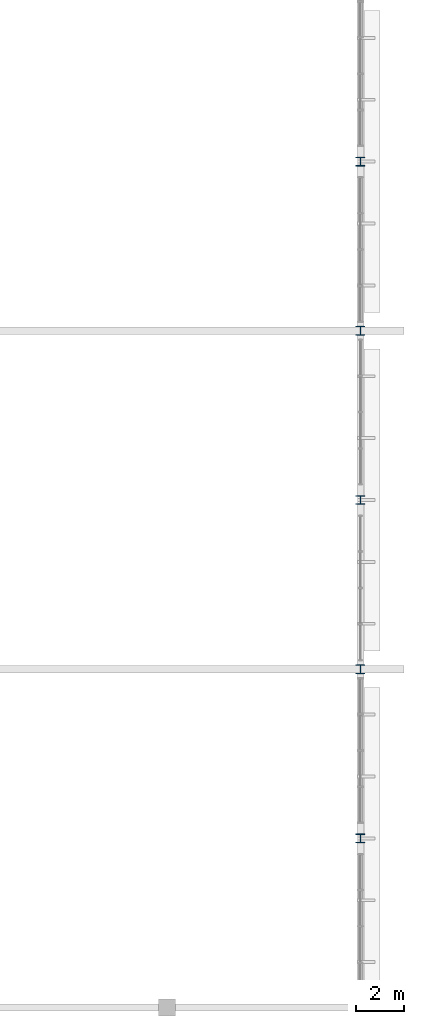
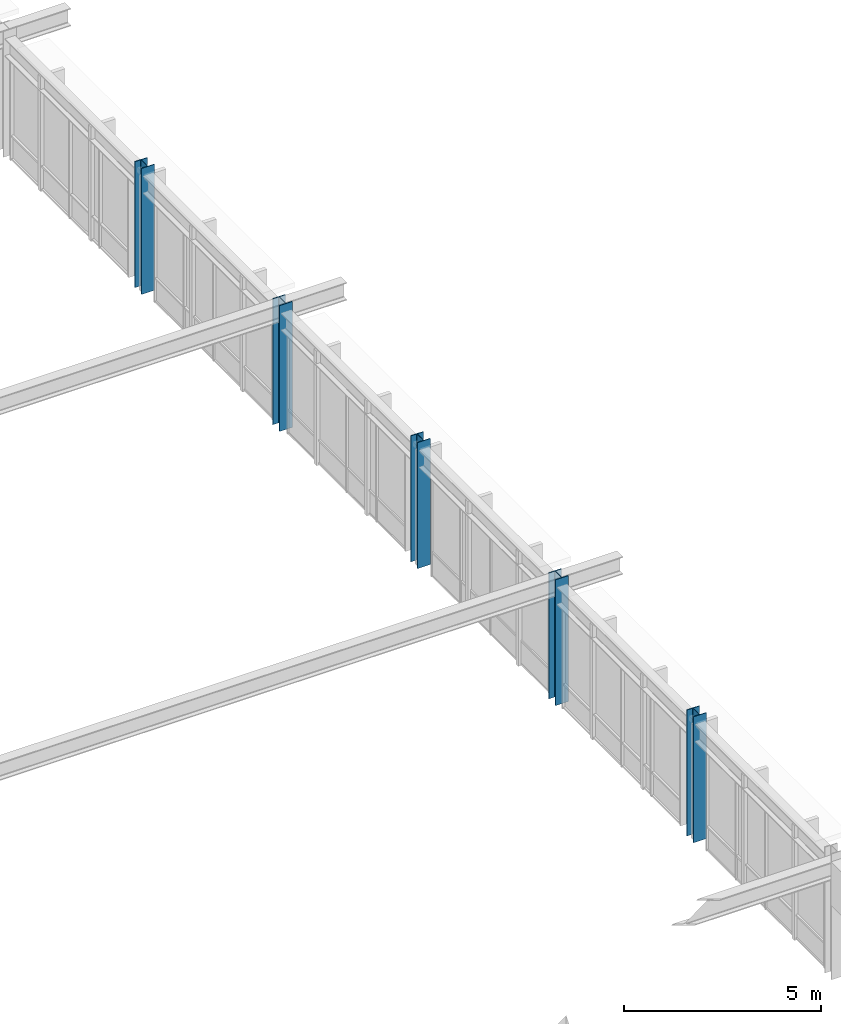
# One storey, part 5 of 98: 5 columns.
"""IFC4 building model written with IfcOpenShell, lengths in metres."""

from ifc_helpers import new_model, si_unit, direction, frame, origin, origin_2d, place, context, subcontext, project, spatial, i_section, extrude, material, material_profile, profile_set, type_object, element, save


model = new_model("IFC4")

# Units and contexts
model_context = context("Model", 3, precision=1e-05, world=origin(), true_north=direction((0.0, 1.0)))
body_context = subcontext(model_context, "Body", "Model", "MODEL_VIEW")
ifc_project = project(units=[si_unit("LENGTHUNIT", "METRE"), si_unit("AREAUNIT", "SQUARE_METRE"), si_unit("VOLUMEUNIT", "CUBIC_METRE"), si_unit("PLANEANGLEUNIT", "RADIAN"), si_unit("MASSUNIT", "GRAM", prefix="KILO")], contexts=[model_context])

# Site, building, storey
site_placement = place(None, origin())
site = spatial("IfcSite", under=ifc_project, at=site_placement, CompositionType="ELEMENT")
building_placement = place(site_placement, origin())
building = spatial("IfcBuilding", under=site, at=building_placement, Name="Larkveld Mobility Hub", CompositionType="ELEMENT")
storey_placement = place(building_placement, frame((0.0, 0.0, 4.5)))
storey = spatial("IfcBuildingStorey", under=building, at=storey_placement, Name="L01", CompositionType="ELEMENT", Elevation=4.5)

# Columns
ifc_material = material(Name="Steel S355JR", Category="steel")
ifc_material_profile = material_profile(ifc_material, i_section(OverallWidth=0.37255859375, OverallDepth=0.3681640625, WebThickness=0.014404296875, FlangeThickness=0.023681640625, FilletRadius=0.01513671875, at=origin_2d()), Name="UC 356x368x177")
ifc_profile_set = profile_set([ifc_material_profile], Name="Steel S355JR")
column_type = type_object("IfcColumnType", Name="CL-STUC356", PredefinedType="COLUMN", material=ifc_profile_set)
for number, where, z_axis, x_axis, name in (
    (1, (184.0, 35.0, 0.0), (0.0, 0.0, 1.0), (1.0, 0.0, 0.0), "Column V1-X184-Y35 (L01)"),
    (2, (184.0, 42.0, 0.0), (0.0, 0.0, 1.0), (1.0, 0.0, 0.0), "Column V1-X184-Y42 (L01)"),
    (3, (184.0, 49.0, 0.0), (0.0, 0.0, 1.0), (1.0, 0.0, 0.0), "Column V1-X184-Y49 (L01)"),
    (4, (184.0, 56.0, 0.0), (0.0, 0.0, 1.0), (1.0, 0.0, 0.0), "Column V1-X184-Y56 (L01)"),
    (5, (184.0, 63.0, 0.0), (0.0, 0.0, 1.0), (1.0, 0.0, 0.0), "Column V1-X184-Y63 (L01)"),
):
    element("IfcColumn", number, at=place(storey_placement, frame(where, z_axis=z_axis, x_axis=x_axis)), inside=storey, type_object=column_type, Name=name, PredefinedType="COLUMN", context=body_context, shape_type="SweptSolid", body=[
        extrude(i_section(OverallWidth=0.37255859375, OverallDepth=0.3681640625, WebThickness=0.014404296875, FlangeThickness=0.023681640625, FilletRadius=0.01513671875, at=origin_2d()), origin(), (0.0, 0.0, 1.0), 3.89990234375),
    ])

save(model, "model.ifc")
